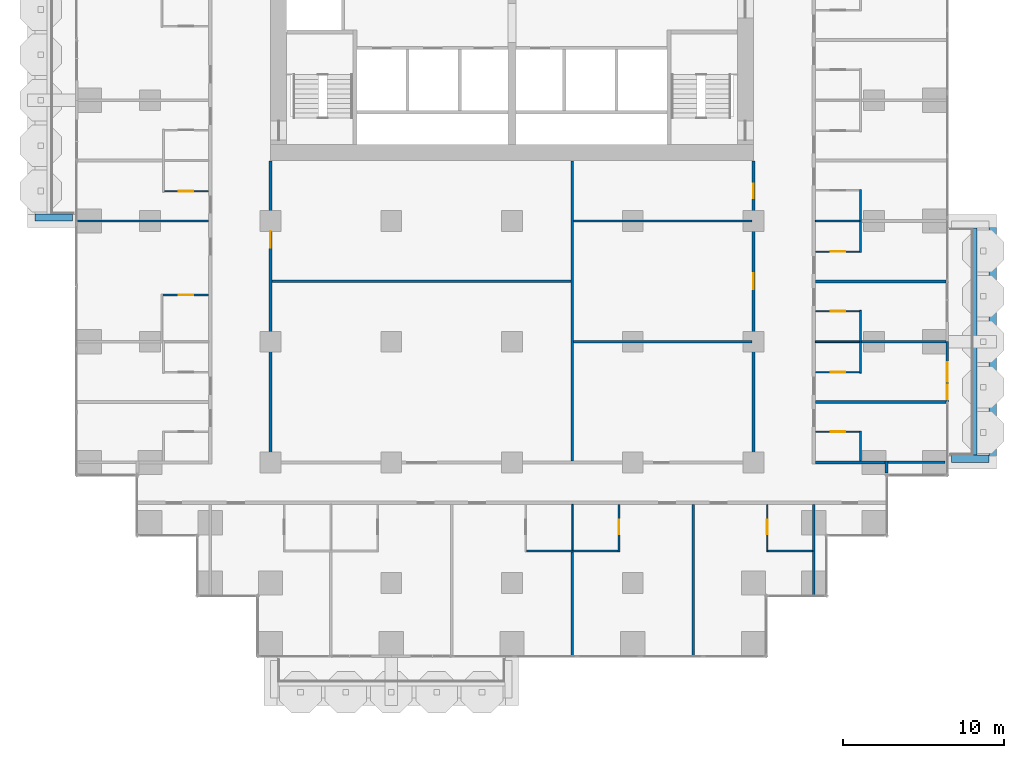
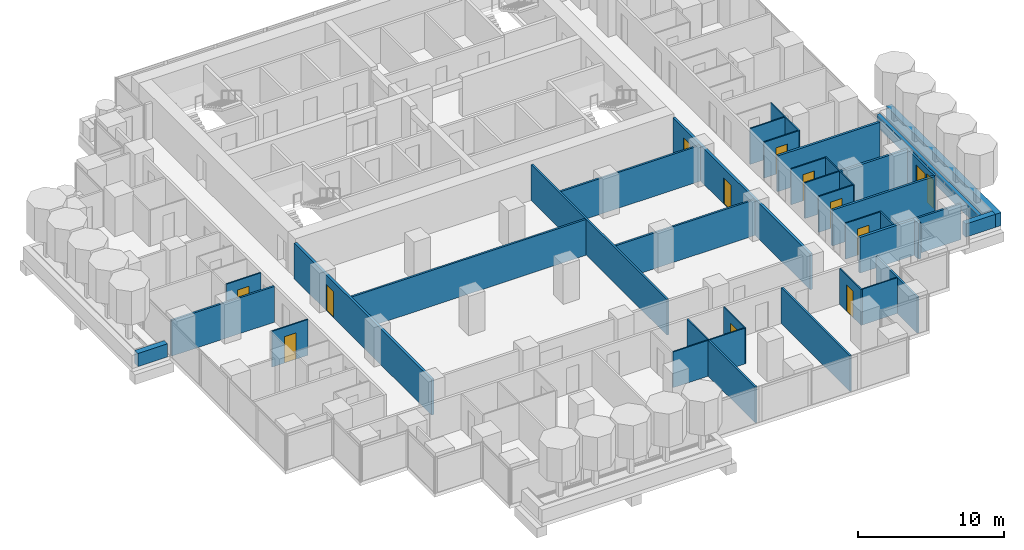
# One storey, part 11 of 18: 37 walls, 12 doors, 1 window, 13 openings.
"""IFC4 building model written with IfcOpenShell, lengths in metres."""

from ifc_helpers import new_model, si_unit, direction, frame, frame_2d, origin, place, context, subcontext, project, spatial, rectangle, extrude, material, layer, layer_set, type_object, element, fill, save


model = new_model("IFC4")

# Units and contexts
model_context = context("Model", 3, precision=1e-05, world=origin(), true_north=direction((0.0, 1.0)))
body_context = subcontext(model_context, "Body", "Model", "MODEL_VIEW")
ifc_project = project(units=[si_unit("LENGTHUNIT", "METRE"), si_unit("AREAUNIT", "SQUARE_METRE"), si_unit("VOLUMEUNIT", "CUBIC_METRE"), si_unit("PLANEANGLEUNIT", "RADIAN"), si_unit("MASSUNIT", "GRAM", prefix="KILO")], contexts=[model_context])

# Site, building, storey
site_placement = place(None, origin())
site = spatial("IfcSite", under=ifc_project, at=site_placement, CompositionType="ELEMENT")
building_placement = place(site_placement, origin())
building = spatial("IfcBuilding", under=site, at=building_placement, Name="Pilkhan Gate Tower", CompositionType="ELEMENT")
storey_placement = place(building_placement, frame((0.0, 0.0, 82.39990234375)))
storey = spatial("IfcBuildingStorey", under=building, at=storey_placement, Name="L19", CompositionType="ELEMENT", Elevation=82.39990234375)

# Walls
ifc_material_1 = material(Name="Dense blockwork", Category="masonry")
ifc_layer_1 = layer(ifc_material_1, 0.175048828125)
ifc_layer_set_1 = layer_set([ifc_layer_1], Name="Acoustic party wall PW175")
wall_type_1 = type_object("IfcWallType", Name="Acoustic party wall PW175", PredefinedType="PARTITIONING", material=ifc_layer_set_1)
wall_1_placement = place(storey_placement, frame((93.85009765625, 56.25, 0.0), z_axis=(0.0, 0.0, 1.0), x_axis=(1.0, 0.0, 0.0)))
element("IfcWall", 1, at=wall_1_placement, inside=storey, type_object=wall_type_1, Name="Partition L19", PredefinedType="PARTITIONING", context=body_context, shape_type="SweptSolid", body=[
    extrude(rectangle(XDim=8.10986328125, YDim=0.175048828125, at=frame_2d((4.054931640625, 0.0))), origin(), (0.0, 0.0, 1.0), 3.0),
])
wall_2_placement = place(storey_placement, frame((96.699951171875, 60.0, 0.0), z_axis=(0.0, 0.0, 1.0), x_axis=(1.0, 0.0, 0.0)))
element("IfcWall", 2, at=wall_2_placement, inside=storey, type_object=wall_type_1, Name="Partition L19", PredefinedType="PARTITIONING", context=body_context, shape_type="SweptSolid", body=[
    extrude(rectangle(XDim=5.260009765625, YDim=0.175048828125, at=frame_2d((2.6298828125, 0.0))), origin(), (0.0, 0.0, 1.0), 3.0),
])
wall_3_placement = place(storey_placement, frame((93.85009765625, 63.75, 0.0), z_axis=(0.0, 0.0, 1.0), x_axis=(1.0, 0.0, 0.0)))
element("IfcWall", 3, at=wall_3_placement, inside=storey, type_object=wall_type_1, Name="Partition L19", PredefinedType="PARTITIONING", context=body_context, shape_type="SweptSolid", body=[
    extrude(rectangle(XDim=8.10986328125, YDim=0.175048828125, at=frame_2d((4.054931640625, 0.0))), origin(), (0.0, 0.0, 1.0), 3.0),
])
ifc_material_2 = material(Name="Concrete C40/50", Category="concrete")
ifc_layer_2 = layer(ifc_material_2, 0.25)
ifc_layer_set_2 = layer_set([ifc_layer_2], Name="Balcony planter BP250")
wall_type_2 = type_object("IfcWallType", Name="Balcony planter BP250", PredefinedType="USERDEFINED", material=ifc_layer_set_2)
wall_4_placement = place(storey_placement, frame((103.77490234375, 52.949951171875, 0.0), z_axis=(0.0, 0.0, 1.0), x_axis=(0.0, 1.0, 0.0)))
element("IfcWall", 4, at=wall_4_placement, inside=storey, type_object=wall_type_2, Name="Balcony planter L19 E", ObjectType="BALCONY PLANTER", PredefinedType="USERDEFINED", context=body_context, shape_type="SweptSolid", body=[
    extrude(rectangle(XDim=14.10009765625, YDim=0.25, at=frame_2d((7.050048828125, 0.0))), origin(), (0.0, 0.0, 1.0), 1.0),
])
ifc_material_3 = material(Name="Board-marked Concrete C40/50", Category="concrete")
ifc_layer_3 = layer(ifc_material_3, 0.449951171875)
ifc_layer_set_3 = layer_set([ifc_layer_3], Name="Balcony planter lip BL450")
wall_type_3 = type_object("IfcWallType", Name="Balcony planter lip BL450", PredefinedType="USERDEFINED", material=ifc_layer_set_3)
wall_5_placement = place(storey_placement, frame((104.875, 52.5, 0.0), z_axis=(0.0, 0.0, 1.0), x_axis=(0.0, 1.0, 0.0)))
element("IfcWall", 5, at=wall_5_placement, inside=storey, type_object=wall_type_3, Name="Balcony planter L19 E", ObjectType="BALCONY PLANTER", PredefinedType="USERDEFINED", context=body_context, shape_type="SweptSolid", body=[
    extrude(rectangle(XDim=15.0, YDim=0.449951171875, at=frame_2d((7.5, 0.0))), origin(), (0.0, 0.0, 1.0), 1.10009765625),
])
for number, where, z_axis, x_axis, name in (
    (6, (102.300048828125, 52.72509765625, 0.0), (0.0, 0.0, 1.0), (1.0, 0.0, 0.0), "Balcony planter L19 E"),
    (7, (47.699951171875, 67.72509765625, 0.0), (0.0, 0.0, 1.0), (-1.0, 0.0, 0.0), "Balcony planter L19 W"),
):
    element("IfcWall", number, at=place(storey_placement, frame(where, z_axis=z_axis, x_axis=x_axis)), inside=storey, type_object=wall_type_3, Name=name, ObjectType="BALCONY PLANTER", PredefinedType="USERDEFINED", context=body_context, shape_type="SweptSolid", body=[
        extrude(rectangle(XDim=2.349853515625, YDim=0.449951171875, at=frame_2d((1.1748046875, 0.0))), origin(), (0.0, 0.0, 1.0), 1.10009765625),
    ])
ifc_layer_4 = layer(ifc_material_1, 0.199951171875)
ifc_layer_set_4 = layer_set([ifc_layer_4], Name="Corridor wall FW200")
wall_type_4 = type_object("IfcWallType", Name="Corridor wall FW200", PredefinedType="PARTITIONING", material=ifc_layer_set_4)
wall_6_placement = place(storey_placement, frame((93.85009765625, 52.5, 0.0), z_axis=(0.0, 0.0, 1.0), x_axis=(1.0, 0.0, 0.0)))
element("IfcWall", 8, at=wall_6_placement, inside=storey, type_object=wall_type_4, Name="Partition L19", PredefinedType="PARTITIONING", context=body_context, shape_type="SweptSolid", body=[
    extrude(rectangle(XDim=4.31494140625, YDim=0.199951171875, at=frame_2d((2.157470703125, 0.0))), origin(), (0.0, 0.0, 1.0), 3.0),
])

# Wall, opening, door
wall_7_placement = place(storey_placement, frame((60.0, 52.39990234375, 0.0), z_axis=(0.0, 0.0, 1.0), x_axis=(0.0, 1.0, 0.0)))
wall_7 = element("IfcWall", 9, at=wall_7_placement, inside=storey, type_object=wall_type_4, Name="Partition L19", PredefinedType="PARTITIONING", context=body_context, shape_type="SweptSolid", body=[
    extrude(rectangle(XDim=18.840087890625, YDim=0.199951171875, at=frame_2d((9.419921875, 0.0))), origin(), (0.0, 0.0, 1.0), 3.0),
])
opening_1_placement = place(wall_7_placement, frame((13.449951171875, 0.0, 0.0)))
opening_1 = element("IfcOpeningElement", 10, at=opening_1_placement, cuts=wall_7, Name="Opening L19-58", PredefinedType="OPENING", context=body_context, shape_type="SweptSolid", body=[
    extrude(rectangle(XDim=1.0, YDim=2.199951171875, at=frame_2d((0.5, 1.10009765625))), frame((0.0, 0.10986328125, 0.0), z_axis=(0.0, -1.0, 0.0), x_axis=(1.0, 0.0, 0.0)), (0.0, 0.0, 1.0), 0.219970703125),
])
ifc_material_4 = material(Name="Timber flush door, 30 minute fire resisting", Category="wood")
door_type_1 = type_object("IfcDoorType", Name="Room door D03 1000x2200", OperationType="SINGLE_SWING_LEFT", PredefinedType="DOOR", material=ifc_material_4)
door_1_placement = place(opening_1_placement, origin())
door_1 = element("IfcDoor", 11, at=door_1_placement, inside=storey, type_object=door_type_1, Name="Room door", OperationType="SINGLE_SWING_RIGHT", OverallHeight=2.199951171875, OverallWidth=1.0, PredefinedType="DOOR", context=body_context, shape_type="SweptSolid", body=[
    extrude(rectangle(XDim=1.0, YDim=2.199951171875, at=frame_2d((0.5, 1.10009765625))), frame((0.0, 0.02490234375, 0.0), z_axis=(0.0, -1.0, 0.0), x_axis=(1.0, 0.0, 0.0)), (0.0, 0.0, 1.0), 0.050048828125),
])
fill(opening_1, door_1)

# Wall, openings, doors
wall_8_placement = place(storey_placement, frame((90.0, 52.39990234375, 0.0), z_axis=(0.0, 0.0, 1.0), x_axis=(0.0, 1.0, 0.0)))
wall_8 = element("IfcWall", 12, at=wall_8_placement, inside=storey, type_object=wall_type_4, Name="Partition L19", PredefinedType="PARTITIONING", context=body_context, shape_type="SweptSolid", body=[
    extrude(rectangle(XDim=18.840087890625, YDim=0.199951171875, at=frame_2d((9.419921875, 0.0))), origin(), (0.0, 0.0, 1.0), 3.0),
])
opening_2_placement = place(wall_8_placement, frame((10.85009765625, 0.0, 0.0)))
opening_2 = element("IfcOpeningElement", 13, at=opening_2_placement, cuts=wall_8, Name="Opening L19-57", PredefinedType="OPENING", context=body_context, shape_type="SweptSolid", body=[
    extrude(rectangle(XDim=1.0, YDim=2.199951171875, at=frame_2d((0.5, 1.10009765625))), frame((0.0, 0.10986328125, 0.0), z_axis=(0.0, -1.0, 0.0), x_axis=(1.0, 0.0, 0.0)), (0.0, 0.0, 1.0), 0.219970703125),
])
opening_3_placement = place(wall_8_placement, frame((16.5, 0.0, 0.0)))
opening_3 = element("IfcOpeningElement", 14, at=opening_3_placement, cuts=wall_8, Name="Opening L19-59", PredefinedType="OPENING", context=body_context, shape_type="SweptSolid", body=[
    extrude(rectangle(XDim=0.89990234375, YDim=2.199951171875, at=frame_2d((0.449951171875, 1.10009765625))), frame((0.0, 0.10986328125, 0.0), z_axis=(0.0, -1.0, 0.0), x_axis=(1.0, 0.0, 0.0)), (0.0, 0.0, 1.0), 0.219970703125),
])
door_2_placement = place(opening_2_placement, origin())
door_2 = element("IfcDoor", 15, at=door_2_placement, inside=storey, type_object=door_type_1, Name="Room door", OperationType="SINGLE_SWING_LEFT", OverallHeight=2.199951171875, OverallWidth=1.0, PredefinedType="DOOR", context=body_context, shape_type="SweptSolid", body=[
    extrude(rectangle(XDim=1.0, YDim=2.199951171875, at=frame_2d((0.5, 1.10009765625))), frame((0.0, 0.02490234375, 0.0), z_axis=(0.0, -1.0, 0.0), x_axis=(1.0, 0.0, 0.0)), (0.0, 0.0, 1.0), 0.050048828125),
])
fill(opening_2, door_2)
ifc_material_5 = material(Name="Timber flush door, 60 minute fire resisting, self-closing", Category="wood")
door_type_2 = type_object("IfcDoorType", Name="Store door D05 900x2200", OperationType="SINGLE_SWING_LEFT", PredefinedType="DOOR", material=ifc_material_5)
door_3_placement = place(opening_3_placement, origin())
door_3 = element("IfcDoor", 16, at=door_3_placement, inside=storey, type_object=door_type_2, Name="Store door", OperationType="SINGLE_SWING_LEFT", OverallHeight=2.199951171875, OverallWidth=0.89990234375, PredefinedType="DOOR", context=body_context, shape_type="SweptSolid", body=[
    extrude(rectangle(XDim=0.89990234375, YDim=2.199951171875, at=frame_2d((0.449951171875, 1.10009765625))), frame((0.0, 0.02490234375, 0.0), z_axis=(0.0, -1.0, 0.0), x_axis=(1.0, 0.0, 0.0)), (0.0, 0.0, 1.0), 0.050048828125),
])
fill(opening_3, door_3)

# Wall
wall_9_placement = place(storey_placement, frame((98.264892578125, 51.85498046875, 0.0), z_axis=(0.0, 0.0, 1.0), x_axis=(0.0, 1.0, 0.0)))
element("IfcWall", 17, at=wall_9_placement, inside=storey, type_object=wall_type_4, Name="Partition L19", PredefinedType="PARTITIONING", context=body_context, shape_type="SweptSolid", body=[
    extrude(rectangle(XDim=0.7451171875, YDim=0.199951171875, at=frame_2d((0.37255859375, 0.0))), origin(), (0.0, 0.0, 1.0), 3.0),
])

# Wall, openings, door, window
ifc_material_6 = material(Name="Pale anodised aluminium, clear laminated glazing", Category="aluminium")
ifc_layer_5 = layer(ifc_material_6, 0.14990234375)
ifc_layer_set_5 = layer_set([ifc_layer_5], Name="Facade infill wall IW150")
wall_type_5 = type_object("IfcWallType", Name="Facade infill wall IW150", PredefinedType="SOLIDWALL", material=ifc_layer_set_5)
wall_10_placement = place(storey_placement, frame((102.044921875, 56.25, 0.0), z_axis=(0.0, 0.0, 1.0), x_axis=(0.0, 1.0, 0.0)))
wall_10 = element("IfcWall", 18, at=wall_10_placement, inside=storey, type_object=wall_type_5, Name="Infill wall L19 E", PredefinedType="SOLIDWALL", context=body_context, shape_type="SweptSolid", body=[
    extrude(rectangle(XDim=3.75, YDim=0.14990234375, at=frame_2d((1.875, 0.0))), origin(), (0.0, 0.0, 1.0), 3.0),
])
opening_4_placement = place(wall_10_placement, frame((0.1875, 0.0, 0.10009765625)))
opening_4 = element("IfcOpeningElement", 19, at=opening_4_placement, cuts=wall_10, Name="Opening W1", PredefinedType="OPENING", context=body_context, shape_type="SweptSolid", body=[
    extrude(rectangle(XDim=0.89990234375, YDim=2.39990234375, at=frame_2d((0.449951171875, 1.199951171875))), frame((0.0, 0.0849609375, 0.0), z_axis=(0.0, -1.0, 0.0), x_axis=(1.0, 0.0, 0.0)), (0.0, 0.0, 1.0), 0.169921875),
])
opening_5_placement = place(wall_10_placement, frame((1.27490234375, 0.0, 0.0)))
opening_5 = element("IfcOpeningElement", 20, at=opening_5_placement, cuts=wall_10, Name="Opening D1", PredefinedType="OPENING", context=body_context, shape_type="SweptSolid", body=[
    extrude(rectangle(XDim=1.199951171875, YDim=2.39990234375, at=frame_2d((0.60009765625, 1.199951171875))), frame((0.0, 0.0849609375, 0.0), z_axis=(0.0, -1.0, 0.0), x_axis=(1.0, 0.0, 0.0)), (0.0, 0.0, 1.0), 0.169921875),
])
ifc_material_7 = material(Name="Pale anodised aluminium, clear glazing", Category="aluminium")
door_type_3 = type_object("IfcDoorType", Name="Balcony door D1 1200x2400", OperationType="SINGLE_SWING_LEFT", PredefinedType="DOOR", material=ifc_material_7)
door_4_placement = place(opening_5_placement, origin())
door_4 = element("IfcDoor", 21, at=door_4_placement, inside=storey, type_object=door_type_3, Name="Balcony door L19", OperationType="SINGLE_SWING_LEFT", OverallHeight=2.39990234375, OverallWidth=1.199951171875, PredefinedType="DOOR", context=body_context, shape_type="SweptSolid", body=[
    extrude(rectangle(XDim=1.199951171875, YDim=2.39990234375, at=frame_2d((0.60009765625, 1.199951171875))), frame((0.0, 0.02490234375, 0.0), z_axis=(0.0, -1.0, 0.0), x_axis=(1.0, 0.0, 0.0)), (0.0, 0.0, 1.0), 0.050048828125),
])
fill(opening_5, door_4)
ifc_material_8 = material(Name="Pale anodised aluminium, clear double glazing", Category="aluminium")
window_type = type_object("IfcWindowType", Name="Window W1 900x2400", PartitioningType="SINGLE_PANEL", PredefinedType="WINDOW", material=ifc_material_8)
window_placement = place(opening_4_placement, origin())
window = element("IfcWindow", 22, at=window_placement, inside=storey, type_object=window_type, Name="Window L19", OverallHeight=2.39990234375, OverallWidth=0.89990234375, PartitioningType="SINGLE_PANEL", PredefinedType="WINDOW", context=body_context, shape_type="SweptSolid", body=[
    extrude(rectangle(XDim=0.89990234375, YDim=2.39990234375, at=frame_2d((0.449951171875, 1.199951171875))), frame((0.0, 0.030029296875, 0.0), z_axis=(0.0, -1.0, 0.0), x_axis=(1.0, 0.0, 0.0)), (0.0, 0.0, 1.0), 0.06005859375),
])
fill(opening_4, window)

# Walls
ifc_material_9 = material(Name="Blockwork partition, plastered both sides", Category="masonry")
ifc_layer_6 = layer(ifc_material_9, 0.14990234375)
ifc_layer_set_6 = layer_set([ifc_layer_6], Name="Partition PW150")
wall_type_6 = type_object("IfcWallType", Name="Partition PW150", PredefinedType="PARTITIONING", material=ifc_layer_set_6)
wall_11_placement = place(storey_placement, frame((98.364990234375, 52.5, 0.0), z_axis=(0.0, 0.0, 1.0), x_axis=(1.0, 0.0, 0.0)))
element("IfcWall", 23, at=wall_11_placement, inside=storey, type_object=wall_type_6, Name="Partition L19", PredefinedType="PARTITIONING", context=body_context, shape_type="SweptSolid", body=[
    extrude(rectangle(XDim=3.530029296875, YDim=0.14990234375, at=frame_2d((1.76513671875, 0.0))), origin(), (0.0, 0.0, 1.0), 3.0),
])
wall_12_placement = place(storey_placement, frame((78.824951171875, 60.0, 0.0), z_axis=(0.0, 0.0, 1.0), x_axis=(1.0, 0.0, 0.0)))
element("IfcWall", 24, at=wall_12_placement, inside=storey, type_object=wall_type_6, Name="Partition L19", PredefinedType="PARTITIONING", context=body_context, shape_type="SweptSolid", body=[
    extrude(rectangle(XDim=11.074951171875, YDim=0.14990234375, at=frame_2d((5.53759765625, 0.0))), origin(), (0.0, 0.0, 1.0), 3.0),
])
wall_13_placement = place(storey_placement, frame((60.10009765625, 63.75, 0.0), z_axis=(0.0, 0.0, 1.0), x_axis=(1.0, 0.0, 0.0)))
element("IfcWall", 25, at=wall_13_placement, inside=storey, type_object=wall_type_6, Name="Partition L19", PredefinedType="PARTITIONING", context=body_context, shape_type="SweptSolid", body=[
    extrude(rectangle(XDim=18.574951171875, YDim=0.14990234375, at=frame_2d((9.28759765625, 0.0))), origin(), (0.0, 0.0, 1.0), 3.0),
])
wall_14_placement = place(storey_placement, frame((47.985107421875, 67.5, 0.0), z_axis=(0.0, 0.0, 1.0), x_axis=(1.0, 0.0, 0.0)))
element("IfcWall", 26, at=wall_14_placement, inside=storey, type_object=wall_type_6, Name="Partition L19", PredefinedType="PARTITIONING", context=body_context, shape_type="SweptSolid", body=[
    extrude(rectangle(XDim=8.164794921875, YDim=0.14990234375, at=frame_2d((4.08251953125, 0.0))), origin(), (0.0, 0.0, 1.0), 3.0),
])
wall_15_placement = place(storey_placement, frame((78.824951171875, 67.5, 0.0), z_axis=(0.0, 0.0, 1.0), x_axis=(1.0, 0.0, 0.0)))
element("IfcWall", 27, at=wall_15_placement, inside=storey, type_object=wall_type_6, Name="Partition L19", PredefinedType="PARTITIONING", context=body_context, shape_type="SweptSolid", body=[
    extrude(rectangle(XDim=11.074951171875, YDim=0.14990234375, at=frame_2d((5.53759765625, 0.0))), origin(), (0.0, 0.0, 1.0), 3.0),
])
wall_16_placement = place(storey_placement, frame((78.75, 40.485107421875, 0.0), z_axis=(0.0, 0.0, 1.0), x_axis=(0.0, 1.0, 0.0)))
element("IfcWall", 28, at=wall_16_placement, inside=storey, type_object=wall_type_6, Name="Partition L19", PredefinedType="PARTITIONING", context=body_context, shape_type="SweptSolid", body=[
    extrude(rectangle(XDim=6.46484375, YDim=0.14990234375, at=frame_2d((3.232421875, 0.0))), origin(), (0.0, 0.0, 1.0), 3.0),
])
wall_17_placement = place(storey_placement, frame((78.75, 52.60009765625, 0.0), z_axis=(0.0, 0.0, 1.0), x_axis=(0.0, 1.0, 0.0)))
element("IfcWall", 29, at=wall_17_placement, inside=storey, type_object=wall_type_6, Name="Partition L19", PredefinedType="PARTITIONING", context=body_context, shape_type="SweptSolid", body=[
    extrude(rectangle(XDim=18.639892578125, YDim=0.14990234375, at=frame_2d((9.31982421875, 0.0))), origin(), (0.0, 0.0, 1.0), 3.0),
])
wall_18_placement = place(storey_placement, frame((86.25, 40.485107421875, 0.0), z_axis=(0.0, 0.0, 1.0), x_axis=(0.0, 1.0, 0.0)))
element("IfcWall", 30, at=wall_18_placement, inside=storey, type_object=wall_type_6, Name="Partition L19", PredefinedType="PARTITIONING", context=body_context, shape_type="SweptSolid", body=[
    extrude(rectangle(XDim=9.414794921875, YDim=0.14990234375, at=frame_2d((4.70751953125, 0.0))), origin(), (0.0, 0.0, 1.0), 3.0),
])
wall_19_placement = place(storey_placement, frame((93.75, 44.235107421875, 0.0), z_axis=(0.0, 0.0, 1.0), x_axis=(0.0, 1.0, 0.0)))
element("IfcWall", 31, at=wall_19_placement, inside=storey, type_object=wall_type_6, Name="Partition L19", PredefinedType="PARTITIONING", context=body_context, shape_type="SweptSolid", body=[
    extrude(rectangle(XDim=5.664794921875, YDim=0.14990234375, at=frame_2d((2.83251953125, 0.0))), origin(), (0.0, 0.0, 1.0), 3.0),
])
ifc_material_10 = material(Name="Moisture resistant board, tiled")
ifc_layer_7 = layer(ifc_material_10, 0.10009765625)
ifc_layer_set_7 = layer_set([ifc_layer_7], Name="Wet wall PW100")
wall_type_7 = type_object("IfcWallType", Name="Wet wall PW100", PredefinedType="PARTITIONING", material=ifc_layer_set_7)
wall_20_placement = place(storey_placement, frame((75.89990234375, 47.0, 0.0), z_axis=(0.0, 0.0, 1.0), x_axis=(1.0, 0.0, 0.0)))
element("IfcWall", 32, at=wall_20_placement, inside=storey, type_object=wall_type_7, Name="Partition L19", PredefinedType="PARTITIONING", context=body_context, shape_type="SweptSolid", body=[
    extrude(rectangle(XDim=5.7001953125, YDim=0.10009765625, at=frame_2d((2.85009765625, 0.0))), origin(), (0.0, 0.0, 1.0), 3.0),
])
wall_21_placement = place(storey_placement, frame((90.89990234375, 47.0, 0.0), z_axis=(0.0, 0.0, 1.0), x_axis=(1.0, 0.0, 0.0)))
element("IfcWall", 33, at=wall_21_placement, inside=storey, type_object=wall_type_7, Name="Partition L19", PredefinedType="PARTITIONING", context=body_context, shape_type="SweptSolid", body=[
    extrude(rectangle(XDim=2.775146484375, YDim=0.10009765625, at=frame_2d((1.3876953125, 0.0))), origin(), (0.0, 0.0, 1.0), 3.0),
])

# Wall, opening, door
wall_22_placement = place(storey_placement, frame((93.85009765625, 54.39990234375, 0.0), z_axis=(0.0, 0.0, 1.0), x_axis=(1.0, 0.0, 0.0)))
wall_22 = element("IfcWall", 34, at=wall_22_placement, inside=storey, type_object=wall_type_7, Name="Partition L19", PredefinedType="PARTITIONING", context=body_context, shape_type="SweptSolid", body=[
    extrude(rectangle(XDim=2.75, YDim=0.10009765625, at=frame_2d((1.375, 0.0))), origin(), (0.0, 0.0, 1.0), 3.0),
])
opening_6_placement = place(wall_22_placement, frame((0.949951171875, 0.0, 0.0)))
opening_6 = element("IfcOpeningElement", 35, at=opening_6_placement, cuts=wall_22, Name="Opening L19-29", PredefinedType="OPENING", context=body_context, shape_type="SweptSolid", body=[
    extrude(rectangle(XDim=0.89990234375, YDim=2.199951171875, at=frame_2d((0.449951171875, 1.10009765625))), frame((0.0, 0.06005859375, 0.0), z_axis=(0.0, -1.0, 0.0), x_axis=(1.0, 0.0, 0.0)), (0.0, 0.0, 1.0), 0.1201171875),
])
ifc_material_11 = material(Name="Timber flush door", Category="wood")
door_type_4 = type_object("IfcDoorType", Name="Bathroom door D02 900x2200", OperationType="SINGLE_SWING_RIGHT", PredefinedType="DOOR", material=ifc_material_11)
door_5_placement = place(opening_6_placement, origin())
door_5 = element("IfcDoor", 36, at=door_5_placement, inside=storey, type_object=door_type_4, Name="Bathroom door", OperationType="SINGLE_SWING_RIGHT", OverallHeight=2.199951171875, OverallWidth=0.89990234375, PredefinedType="DOOR", context=body_context, shape_type="SweptSolid", body=[
    extrude(rectangle(XDim=0.89990234375, YDim=2.199951171875, at=frame_2d((0.449951171875, 1.10009765625))), frame((0.0, 0.02490234375, 0.0), z_axis=(0.0, -1.0, 0.0), x_axis=(1.0, 0.0, 0.0)), (0.0, 0.0, 1.0), 0.050048828125),
])
fill(opening_6, door_5)

wall_23_placement = place(storey_placement, frame((93.85009765625, 58.10009765625, 0.0), z_axis=(0.0, 0.0, 1.0), x_axis=(1.0, 0.0, 0.0)))
wall_23 = element("IfcWall", 37, at=wall_23_placement, inside=storey, type_object=wall_type_7, Name="Partition L19", PredefinedType="PARTITIONING", context=body_context, shape_type="SweptSolid", body=[
    extrude(rectangle(XDim=2.75, YDim=0.10009765625, at=frame_2d((1.375, 0.0))), origin(), (0.0, 0.0, 1.0), 3.0),
])
opening_7_placement = place(wall_23_placement, frame((0.949951171875, 0.0, 0.0)))
opening_7 = element("IfcOpeningElement", 38, at=opening_7_placement, cuts=wall_23, Name="Opening L19-31", PredefinedType="OPENING", context=body_context, shape_type="SweptSolid", body=[
    extrude(rectangle(XDim=0.89990234375, YDim=2.199951171875, at=frame_2d((0.449951171875, 1.10009765625))), frame((0.0, 0.06005859375, 0.0), z_axis=(0.0, -1.0, 0.0), x_axis=(1.0, 0.0, 0.0)), (0.0, 0.0, 1.0), 0.1201171875),
])
door_6_placement = place(opening_7_placement, origin())
door_6 = element("IfcDoor", 39, at=door_6_placement, inside=storey, type_object=door_type_4, Name="Bathroom door", OperationType="SINGLE_SWING_RIGHT", OverallHeight=2.199951171875, OverallWidth=0.89990234375, PredefinedType="DOOR", context=body_context, shape_type="SweptSolid", body=[
    extrude(rectangle(XDim=0.89990234375, YDim=2.199951171875, at=frame_2d((0.449951171875, 1.10009765625))), frame((0.0, 0.02490234375, 0.0), z_axis=(0.0, -1.0, 0.0), x_axis=(1.0, 0.0, 0.0)), (0.0, 0.0, 1.0), 0.050048828125),
])
fill(opening_7, door_6)

# Wall
wall_24_placement = place(storey_placement, frame((93.85009765625, 60.0, 0.0), z_axis=(0.0, 0.0, 1.0), x_axis=(1.0, 0.0, 0.0)))
element("IfcWall", 40, at=wall_24_placement, inside=storey, type_object=wall_type_7, Name="Partition L19", PredefinedType="PARTITIONING", context=body_context, shape_type="SweptSolid", body=[
    extrude(rectangle(XDim=2.75, YDim=0.10009765625, at=frame_2d((1.375, 0.0))), origin(), (0.0, 0.0, 1.0), 3.0),
])

# Wall, opening, door
wall_25_placement = place(storey_placement, frame((93.85009765625, 61.89990234375, 0.0), z_axis=(0.0, 0.0, 1.0), x_axis=(1.0, 0.0, 0.0)))
wall_25 = element("IfcWall", 41, at=wall_25_placement, inside=storey, type_object=wall_type_7, Name="Partition L19", PredefinedType="PARTITIONING", context=body_context, shape_type="SweptSolid", body=[
    extrude(rectangle(XDim=2.75, YDim=0.10009765625, at=frame_2d((1.375, 0.0))), origin(), (0.0, 0.0, 1.0), 3.0),
])
opening_8_placement = place(wall_25_placement, frame((0.949951171875, 0.0, 0.0)))
opening_8 = element("IfcOpeningElement", 42, at=opening_8_placement, cuts=wall_25, Name="Opening L19-33", PredefinedType="OPENING", context=body_context, shape_type="SweptSolid", body=[
    extrude(rectangle(XDim=0.89990234375, YDim=2.199951171875, at=frame_2d((0.449951171875, 1.10009765625))), frame((0.0, 0.06005859375, 0.0), z_axis=(0.0, -1.0, 0.0), x_axis=(1.0, 0.0, 0.0)), (0.0, 0.0, 1.0), 0.1201171875),
])
door_7_placement = place(opening_8_placement, origin())
door_7 = element("IfcDoor", 43, at=door_7_placement, inside=storey, type_object=door_type_4, Name="Bathroom door", OperationType="SINGLE_SWING_RIGHT", OverallHeight=2.199951171875, OverallWidth=0.89990234375, PredefinedType="DOOR", context=body_context, shape_type="SweptSolid", body=[
    extrude(rectangle(XDim=0.89990234375, YDim=2.199951171875, at=frame_2d((0.449951171875, 1.10009765625))), frame((0.0, 0.02490234375, 0.0), z_axis=(0.0, -1.0, 0.0), x_axis=(1.0, 0.0, 0.0)), (0.0, 0.0, 1.0), 0.050048828125),
])
fill(opening_8, door_7)

wall_26_placement = place(storey_placement, frame((53.300048828125, 62.89990234375, 0.0), z_axis=(0.0, 0.0, 1.0), x_axis=(1.0, 0.0, 0.0)))
wall_26 = element("IfcWall", 44, at=wall_26_placement, inside=storey, type_object=wall_type_7, Name="Partition L19", PredefinedType="PARTITIONING", context=body_context, shape_type="SweptSolid", body=[
    extrude(rectangle(XDim=2.849853515625, YDim=0.10009765625, at=frame_2d((1.4248046875, 0.0))), origin(), (0.0, 0.0, 1.0), 3.0),
])
opening_9_placement = place(wall_26_placement, frame((1.0, 0.0, 0.0)))
opening_9 = element("IfcOpeningElement", 45, at=opening_9_placement, cuts=wall_26, Name="Opening L19-21", PredefinedType="OPENING", context=body_context, shape_type="SweptSolid", body=[
    extrude(rectangle(XDim=0.89990234375, YDim=2.199951171875, at=frame_2d((0.449951171875, 1.10009765625))), frame((0.0, 0.06005859375, 0.0), z_axis=(0.0, -1.0, 0.0), x_axis=(1.0, 0.0, 0.0)), (0.0, 0.0, 1.0), 0.1201171875),
])
door_8_placement = place(opening_9_placement, origin())
door_8 = element("IfcDoor", 46, at=door_8_placement, inside=storey, type_object=door_type_4, Name="Bathroom door", OperationType="SINGLE_SWING_RIGHT", OverallHeight=2.199951171875, OverallWidth=0.89990234375, PredefinedType="DOOR", context=body_context, shape_type="SweptSolid", body=[
    extrude(rectangle(XDim=0.89990234375, YDim=2.199951171875, at=frame_2d((0.449951171875, 1.10009765625))), frame((0.0, 0.02490234375, 0.0), z_axis=(0.0, -1.0, 0.0), x_axis=(1.0, 0.0, 0.0)), (0.0, 0.0, 1.0), 0.050048828125),
])
fill(opening_9, door_8)

wall_27_placement = place(storey_placement, frame((93.85009765625, 65.60009765625, 0.0), z_axis=(0.0, 0.0, 1.0), x_axis=(1.0, 0.0, 0.0)))
wall_27 = element("IfcWall", 47, at=wall_27_placement, inside=storey, type_object=wall_type_7, Name="Partition L19", PredefinedType="PARTITIONING", context=body_context, shape_type="SweptSolid", body=[
    extrude(rectangle(XDim=2.75, YDim=0.10009765625, at=frame_2d((1.375, 0.0))), origin(), (0.0, 0.0, 1.0), 3.0),
])
opening_10_placement = place(wall_27_placement, frame((0.949951171875, 0.0, 0.0)))
opening_10 = element("IfcOpeningElement", 48, at=opening_10_placement, cuts=wall_27, Name="Opening L19-35", PredefinedType="OPENING", context=body_context, shape_type="SweptSolid", body=[
    extrude(rectangle(XDim=0.89990234375, YDim=2.199951171875, at=frame_2d((0.449951171875, 1.10009765625))), frame((0.0, 0.06005859375, 0.0), z_axis=(0.0, -1.0, 0.0), x_axis=(1.0, 0.0, 0.0)), (0.0, 0.0, 1.0), 0.1201171875),
])
door_9_placement = place(opening_10_placement, origin())
door_9 = element("IfcDoor", 49, at=door_9_placement, inside=storey, type_object=door_type_4, Name="Bathroom door", OperationType="SINGLE_SWING_RIGHT", OverallHeight=2.199951171875, OverallWidth=0.89990234375, PredefinedType="DOOR", context=body_context, shape_type="SweptSolid", body=[
    extrude(rectangle(XDim=0.89990234375, YDim=2.199951171875, at=frame_2d((0.449951171875, 1.10009765625))), frame((0.0, 0.02490234375, 0.0), z_axis=(0.0, -1.0, 0.0), x_axis=(1.0, 0.0, 0.0)), (0.0, 0.0, 1.0), 0.050048828125),
])
fill(opening_10, door_9)

# Wall
wall_28_placement = place(storey_placement, frame((93.85009765625, 67.5, 0.0), z_axis=(0.0, 0.0, 1.0), x_axis=(1.0, 0.0, 0.0)))
element("IfcWall", 50, at=wall_28_placement, inside=storey, type_object=wall_type_7, Name="Partition L19", PredefinedType="PARTITIONING", context=body_context, shape_type="SweptSolid", body=[
    extrude(rectangle(XDim=2.75, YDim=0.10009765625, at=frame_2d((1.375, 0.0))), origin(), (0.0, 0.0, 1.0), 3.0),
])

# Wall, opening, door
wall_29_placement = place(storey_placement, frame((53.39990234375, 69.35009765625, 0.0), z_axis=(0.0, 0.0, 1.0), x_axis=(1.0, 0.0, 0.0)))
wall_29 = element("IfcWall", 51, at=wall_29_placement, inside=storey, type_object=wall_type_7, Name="Partition L19", PredefinedType="PARTITIONING", context=body_context, shape_type="SweptSolid", body=[
    extrude(rectangle(XDim=2.75, YDim=0.10009765625, at=frame_2d((1.375, 0.0))), origin(), (0.0, 0.0, 1.0), 3.0),
])
opening_11_placement = place(wall_29_placement, frame((0.89990234375, 0.0, 0.0)))
opening_11 = element("IfcOpeningElement", 52, at=opening_11_placement, cuts=wall_29, Name="Opening L19-23", PredefinedType="OPENING", context=body_context, shape_type="SweptSolid", body=[
    extrude(rectangle(XDim=0.89990234375, YDim=2.199951171875, at=frame_2d((0.449951171875, 1.10009765625))), frame((0.0, 0.06005859375, 0.0), z_axis=(0.0, -1.0, 0.0), x_axis=(1.0, 0.0, 0.0)), (0.0, 0.0, 1.0), 0.1201171875),
])
door_10_placement = place(opening_11_placement, origin())
door_10 = element("IfcDoor", 53, at=door_10_placement, inside=storey, type_object=door_type_4, Name="Bathroom door", OperationType="SINGLE_SWING_RIGHT", OverallHeight=2.199951171875, OverallWidth=0.89990234375, PredefinedType="DOOR", context=body_context, shape_type="SweptSolid", body=[
    extrude(rectangle(XDim=0.89990234375, YDim=2.199951171875, at=frame_2d((0.449951171875, 1.10009765625))), frame((0.0, 0.02490234375, 0.0), z_axis=(0.0, -1.0, 0.0), x_axis=(1.0, 0.0, 0.0)), (0.0, 0.0, 1.0), 0.050048828125),
])
fill(opening_11, door_10)

# Wall
wall_30_placement = place(storey_placement, frame((78.75, 47.050048828125, 0.0), z_axis=(0.0, 0.0, 1.0), x_axis=(0.0, 1.0, 0.0)))
element("IfcWall", 54, at=wall_30_placement, inside=storey, type_object=wall_type_7, Name="Partition L19", PredefinedType="PARTITIONING", context=body_context, shape_type="SweptSolid", body=[
    extrude(rectangle(XDim=2.849853515625, YDim=0.10009765625, at=frame_2d((1.4248046875, 0.0))), origin(), (0.0, 0.0, 1.0), 3.0),
])

# Wall, opening, door
wall_31_placement = place(storey_placement, frame((81.64990234375, 46.949951171875, 0.0), z_axis=(0.0, 0.0, 1.0), x_axis=(0.0, 1.0, 0.0)))
wall_31 = element("IfcWall", 55, at=wall_31_placement, inside=storey, type_object=wall_type_7, Name="Partition L19", PredefinedType="PARTITIONING", context=body_context, shape_type="SweptSolid", body=[
    extrude(rectangle(XDim=2.949951171875, YDim=0.10009765625, at=frame_2d((1.47509765625, 0.0))), origin(), (0.0, 0.0, 1.0), 3.0),
])
opening_12_placement = place(wall_31_placement, frame((1.10009765625, 0.0, 0.0)))
opening_12 = element("IfcOpeningElement", 56, at=opening_12_placement, cuts=wall_31, Name="Opening L19-13", PredefinedType="OPENING", context=body_context, shape_type="SweptSolid", body=[
    extrude(rectangle(XDim=0.89990234375, YDim=2.199951171875, at=frame_2d((0.449951171875, 1.10009765625))), frame((0.0, 0.06005859375, 0.0), z_axis=(0.0, -1.0, 0.0), x_axis=(1.0, 0.0, 0.0)), (0.0, 0.0, 1.0), 0.1201171875),
])
door_11_placement = place(opening_12_placement, origin())
door_11 = element("IfcDoor", 57, at=door_11_placement, inside=storey, type_object=door_type_4, Name="Bathroom door", OperationType="SINGLE_SWING_RIGHT", OverallHeight=2.199951171875, OverallWidth=0.89990234375, PredefinedType="DOOR", context=body_context, shape_type="SweptSolid", body=[
    extrude(rectangle(XDim=0.89990234375, YDim=2.199951171875, at=frame_2d((0.449951171875, 1.10009765625))), frame((0.0, 0.02490234375, 0.0), z_axis=(0.0, -1.0, 0.0), x_axis=(1.0, 0.0, 0.0)), (0.0, 0.0, 1.0), 0.050048828125),
])
fill(opening_12, door_11)

wall_32_placement = place(storey_placement, frame((90.85009765625, 46.949951171875, 0.0), z_axis=(0.0, 0.0, 1.0), x_axis=(0.0, 1.0, 0.0)))
wall_32 = element("IfcWall", 58, at=wall_32_placement, inside=storey, type_object=wall_type_7, Name="Partition L19", PredefinedType="PARTITIONING", context=body_context, shape_type="SweptSolid", body=[
    extrude(rectangle(XDim=2.949951171875, YDim=0.10009765625, at=frame_2d((1.47509765625, 0.0))), origin(), (0.0, 0.0, 1.0), 3.0),
])
opening_13_placement = place(wall_32_placement, frame((1.10009765625, 0.0, 0.0)))
opening_13 = element("IfcOpeningElement", 59, at=opening_13_placement, cuts=wall_32, Name="Opening L19-15", PredefinedType="OPENING", context=body_context, shape_type="SweptSolid", body=[
    extrude(rectangle(XDim=0.89990234375, YDim=2.199951171875, at=frame_2d((0.449951171875, 1.10009765625))), frame((0.0, 0.06005859375, 0.0), z_axis=(0.0, -1.0, 0.0), x_axis=(1.0, 0.0, 0.0)), (0.0, 0.0, 1.0), 0.1201171875),
])
door_12_placement = place(opening_13_placement, origin())
door_12 = element("IfcDoor", 60, at=door_12_placement, inside=storey, type_object=door_type_4, Name="Bathroom door", OperationType="SINGLE_SWING_RIGHT", OverallHeight=2.199951171875, OverallWidth=0.89990234375, PredefinedType="DOOR", context=body_context, shape_type="SweptSolid", body=[
    extrude(rectangle(XDim=0.89990234375, YDim=2.199951171875, at=frame_2d((0.449951171875, 1.10009765625))), frame((0.0, 0.02490234375, 0.0), z_axis=(0.0, -1.0, 0.0), x_axis=(1.0, 0.0, 0.0)), (0.0, 0.0, 1.0), 0.050048828125),
])
fill(opening_13, door_12)

# Walls
wall_33_placement = place(storey_placement, frame((96.64990234375, 52.60009765625, 0.0), z_axis=(0.0, 0.0, 1.0), x_axis=(0.0, 1.0, 0.0)))
element("IfcWall", 61, at=wall_33_placement, inside=storey, type_object=wall_type_7, Name="Partition L19", PredefinedType="PARTITIONING", context=body_context, shape_type="SweptSolid", body=[
    extrude(rectangle(XDim=1.849853515625, YDim=0.10009765625, at=frame_2d((0.9248046875, 0.0))), origin(), (0.0, 0.0, 1.0), 3.0),
])
for number, where, z_axis, x_axis, name in (
    (62, (96.64990234375, 58.050048828125, 0.0), (0.0, 0.0, 1.0), (0.0, 1.0, 0.0), "Partition L19"),
    (63, (96.64990234375, 65.550048828125, 0.0), (0.0, 0.0, 1.0), (0.0, 1.0, 0.0), "Partition L19"),
):
    element("IfcWall", number, at=place(storey_placement, frame(where, z_axis=z_axis, x_axis=x_axis)), inside=storey, type_object=wall_type_7, Name=name, PredefinedType="PARTITIONING", context=body_context, shape_type="SweptSolid", body=[
        extrude(rectangle(XDim=3.89990234375, YDim=0.10009765625, at=frame_2d((1.949951171875, 0.0))), origin(), (0.0, 0.0, 1.0), 3.0),
    ])

save(model, "model.ifc")
